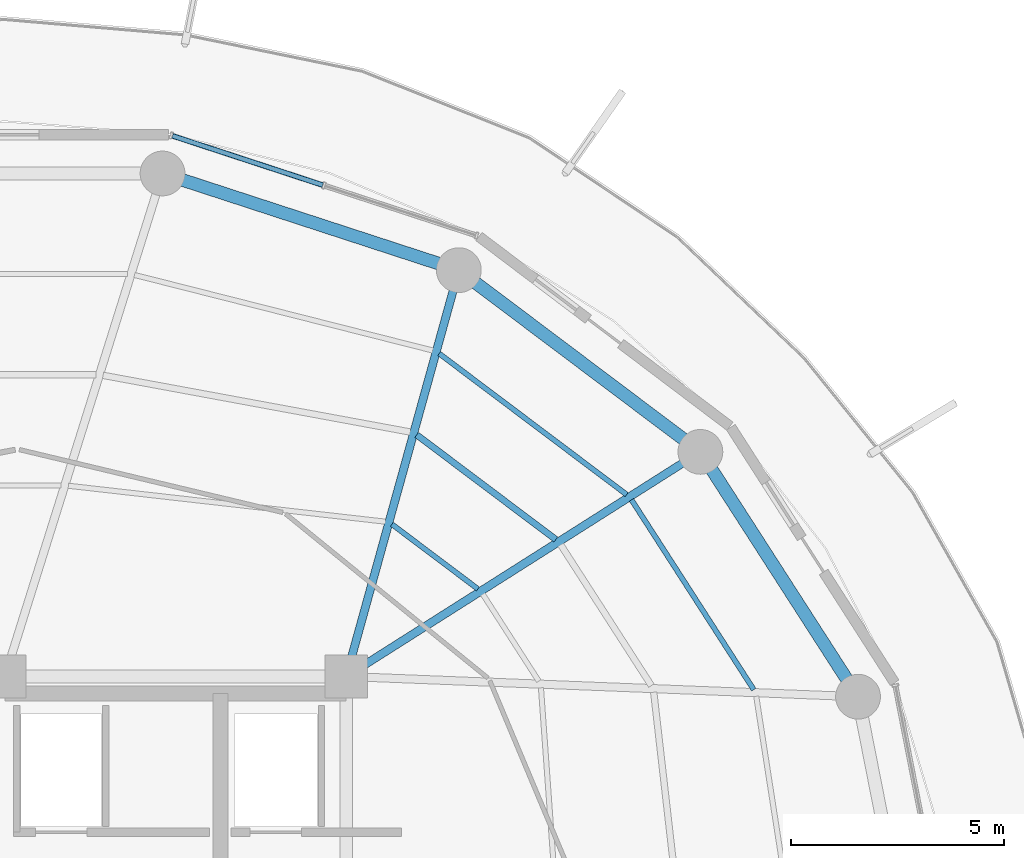
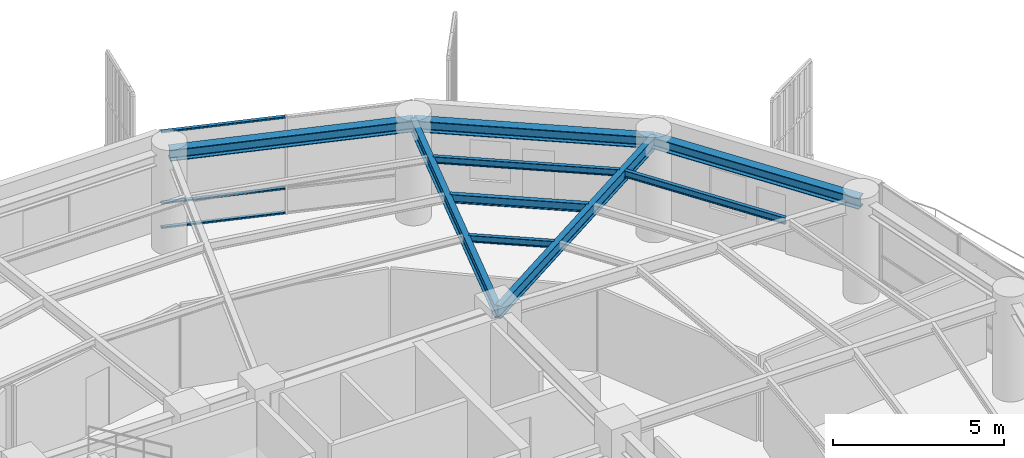
# One storey, part 20 of 30: 9 beams, 3 members, 1 element without a shape of its own.
"""IFC4 building model written with IfcOpenShell, lengths in metres."""

from ifc_helpers import new_model, si_unit, direction, frame, origin, origin_2d, place, context, subcontext, project, spatial, hollow_rectangle, i_section, extrude, material, layer, layer_set, material_profile, profile_set, type_object, element, aggregate, save


model = new_model("IFC4")

# Units and contexts
model_context = context("Model", 3, precision=1e-05, world=origin(), true_north=direction((0.0, 1.0)))
body_context = subcontext(model_context, "Body", "Model", "MODEL_VIEW")
ifc_project = project(units=[si_unit("LENGTHUNIT", "METRE"), si_unit("AREAUNIT", "SQUARE_METRE"), si_unit("VOLUMEUNIT", "CUBIC_METRE"), si_unit("PLANEANGLEUNIT", "RADIAN"), si_unit("MASSUNIT", "GRAM", prefix="KILO")], contexts=[model_context])

# Site, building, storey
site_placement = place(None, origin())
site = spatial("IfcSite", under=ifc_project, at=site_placement, CompositionType="ELEMENT")
building_placement = place(site_placement, origin())
building = spatial("IfcBuilding", under=site, at=building_placement, Name="Kelanora Arch Commons", CompositionType="ELEMENT")
storey_placement = place(building_placement, frame((0.0, 0.0, 234.449951171875)))
storey = spatial("IfcBuildingStorey", under=building, at=storey_placement, Name="L60", CompositionType="ELEMENT", Elevation=234.449951171875)

# Beams
ifc_material_1 = material(Name="Steel S355", Category="steel")
ifc_material_profile_1 = material_profile(ifc_material_1, i_section(OverallWidth=0.14990234375, OverallDepth=0.300048828125, WebThickness=0.007080078125, FlangeThickness=0.0107421875, FilletRadius=0.014892578125, at=origin_2d()), Name="IPE300")
ifc_profile_set_1 = profile_set([ifc_material_profile_1], Name="Steel S355")
beam_type_1 = type_object("IfcBeamType", Name="BM-JST-01", PredefinedType="JOIST", material=ifc_profile_set_1)
beam_1_placement = place(storey_placement, frame((86.912841796875, 68.209716796875, 3.340087890625), z_axis=(-0.799101708656, 0.601195857624, 0.0), x_axis=(-0.601195857624, -0.799101708656, 0.0)))
element("IfcBeam", 1, at=beam_1_placement, inside=storey, type_object=beam_type_1, Name="Secondary Chord Joist BJB-04 L60", PredefinedType="JOIST", context=body_context, shape_type="SweptSolid", body=[
    extrude(i_section(OverallWidth=0.14990234375, OverallDepth=0.300048828125, WebThickness=0.007080078125, FlangeThickness=0.0107421875, FilletRadius=0.014892578125, at=origin_2d()), origin(), (0.0, 0.0, 1.0), 4.080810546875),
])
ifc_material_profile_2 = material_profile(ifc_material_1, i_section(OverallWidth=0.1201171875, OverallDepth=0.239990234375, WebThickness=0.006103515625, FlangeThickness=0.009765625, FilletRadius=0.014892578125, at=origin_2d()), Name="IPE240")
ifc_profile_set_2 = profile_set([ifc_material_profile_2], Name="Steel S355")
beam_type_2 = type_object("IfcBeamType", Name="BM-JST-02", PredefinedType="JOIST", material=ifc_profile_set_2)
beam_2_placement = place(storey_placement, frame((91.55126953125, 64.69189453125, 3.3701171875), z_axis=(-0.541382492679, 0.840776424872, 0.0), x_axis=(-0.840776424872, -0.541382492679, 0.0)))
element("IfcBeam", 2, at=beam_2_placement, inside=storey, type_object=beam_type_2, Name="Secondary Chord Joist BJC-02 L60", PredefinedType="JOIST", context=body_context, shape_type="SweptSolid", body=[
    extrude(i_section(OverallWidth=0.1201171875, OverallDepth=0.239990234375, WebThickness=0.006103515625, FlangeThickness=0.009765625, FilletRadius=0.014892578125, at=origin_2d()), origin(), (0.0, 0.0, 1.0), 5.29052734375),
])
beam_3_placement = place(storey_placement, frame((85.086669921875, 67.051513671875, 3.3701171875), z_axis=(-0.79911638933, 0.601176343766, 0.0), x_axis=(-0.601176343766, -0.79911638933, 0.0)))
element("IfcBeam", 3, at=beam_3_placement, inside=storey, type_object=beam_type_2, Name="Secondary Chord Joist BJA-04 L60", PredefinedType="JOIST", context=body_context, shape_type="SweptSolid", body=[
    extrude(i_section(OverallWidth=0.1201171875, OverallDepth=0.239990234375, WebThickness=0.006103515625, FlangeThickness=0.009765625, FilletRadius=0.014892578125, at=origin_2d()), origin(), (0.0, 0.0, 1.0), 2.522216796875),
])
beam_4_placement = place(storey_placement, frame((88.5732421875, 69.2626953125, 3.3701171875), z_axis=(-0.799109197935, 0.601185902842, 0.0), x_axis=(-0.601185902842, -0.799109197935, 0.0)))
element("IfcBeam", 4, at=beam_4_placement, inside=storey, type_object=beam_type_2, Name="Secondary Chord Joist BJC-04 L60", PredefinedType="JOIST", context=body_context, shape_type="SweptSolid", body=[
    extrude(i_section(OverallWidth=0.1201171875, OverallDepth=0.239990234375, WebThickness=0.006103515625, FlangeThickness=0.009765625, FilletRadius=0.014892578125, at=origin_2d()), origin(), (0.0, 0.0, 1.0), 5.497802734375),
])
ifc_material_profile_3 = material_profile(ifc_material_1, i_section(OverallWidth=0.18994140625, OverallDepth=0.449951171875, WebThickness=0.009521484375, FlangeThickness=0.0146484375, FilletRadius=0.02099609375, at=origin_2d()), Name="IPE450")
ifc_profile_set_3 = profile_set([ifc_material_profile_3], Name="Steel S355")
beam_type_3 = type_object("IfcBeamType", Name="BM-RAD-Z4", PredefinedType="BEAM", material=ifc_profile_set_3)
beam_5_placement = place(storey_placement, frame((82.0, 65.0, 3.26513671875), z_axis=(0.844507208607, 0.535544185489, 0.0), x_axis=(-0.535544185489, 0.844507208607, 0.0)))
element("IfcBeam", 5, at=beam_5_placement, inside=storey, type_object=beam_type_3, Name="Radial Floor Girder BR-04 L60", PredefinedType="BEAM", context=body_context, shape_type="SweptSolid", body=[
    extrude(i_section(OverallWidth=0.18994140625, OverallDepth=0.449951171875, WebThickness=0.009521484375, FlangeThickness=0.0146484375, FilletRadius=0.02099609375, at=origin_2d()), origin(), (0.0, 0.0, 1.0), 9.830078125),
])
beam_6_placement = place(storey_placement, frame((82.0, 65.0, 3.26513671875), z_axis=(0.267120164296, 0.963663228429, 0.0), x_axis=(-0.963663228429, 0.267120164296, 0.0)))
element("IfcBeam", 6, at=beam_6_placement, inside=storey, type_object=beam_type_3, Name="Radial Floor Girder BR-06 L60", PredefinedType="BEAM", context=body_context, shape_type="SweptSolid", body=[
    extrude(i_section(OverallWidth=0.18994140625, OverallDepth=0.449951171875, WebThickness=0.009521484375, FlangeThickness=0.0146484375, FilletRadius=0.02099609375, at=origin_2d()), origin(), (0.0, 0.0, 1.0), 9.8828125),
])
ifc_material_profile_4 = material_profile(ifc_material_1, i_section(OverallWidth=0.300048828125, OverallDepth=0.39990234375, WebThickness=0.013427734375, FlangeThickness=0.02392578125, FilletRadius=0.027099609375, at=origin_2d()), Name="HEB400")
ifc_profile_set_4 = profile_set([ifc_material_profile_4], Name="Steel S355")
beam_type_4 = type_object("IfcBeamType", Name="BM-SPN-Z4", PredefinedType="SPANDREL", material=ifc_profile_set_4)
beam_7_placement = place(storey_placement, frame((93.99658203125, 64.525634765625, 3.2900390625), z_axis=(-0.541364878868, 0.840787766281, 0.0), x_axis=(-0.840787766281, -0.541364878868, 0.0)))
element("IfcBeam", 7, at=beam_7_placement, inside=storey, type_object=beam_type_4, Name="Perimeter Spandrel Beam BS-02 L60", PredefinedType="SPANDREL", context=body_context, shape_type="SweptSolid", body=[
    extrude(i_section(OverallWidth=0.300048828125, OverallDepth=0.39990234375, WebThickness=0.013427734375, FlangeThickness=0.02392578125, FilletRadius=0.027099609375, at=origin_2d()), origin(), (0.0, 0.0, 1.0), 6.825439453125),
])
beam_8_placement = place(storey_placement, frame((90.301513671875, 70.264404296875, 3.2900390625), z_axis=(-0.799114211715, 0.60117923836, 0.0), x_axis=(-0.60117923836, -0.799114211715, 0.0)))
element("IfcBeam", 8, at=beam_8_placement, inside=storey, type_object=beam_type_4, Name="Perimeter Spandrel Beam BS-04 L60", PredefinedType="SPANDREL", context=body_context, shape_type="SweptSolid", body=[
    extrude(i_section(OverallWidth=0.300048828125, OverallDepth=0.39990234375, WebThickness=0.013427734375, FlangeThickness=0.02392578125, FilletRadius=0.027099609375, at=origin_2d()), origin(), (0.0, 0.0, 1.0), 7.0849609375),
])
beam_9_placement = place(storey_placement, frame((84.639892578125, 74.523681640625, 3.2900390625), z_axis=(-0.950656361143, 0.310245842872, 0.0), x_axis=(-0.310245842872, -0.950656361143, 0.0)))
element("IfcBeam", 9, at=beam_9_placement, inside=storey, type_object=beam_type_4, Name="Perimeter Spandrel Beam BS-06 L60", PredefinedType="SPANDREL", context=body_context, shape_type="SweptSolid", body=[
    extrude(i_section(OverallWidth=0.300048828125, OverallDepth=0.39990234375, WebThickness=0.013427734375, FlangeThickness=0.02392578125, FilletRadius=0.027099609375, at=origin_2d()), origin(), (0.0, 0.0, 1.0), 7.304931640625),
])

# Curtain wall, members
ifc_material_2 = material(Name="Terracotta ceramic-fritted low-E glass and aluminium", Category="masonry")
ifc_layer = layer(ifc_material_2, 0.175048828125)
ifc_layer_set = layer_set([ifc_layer], Name="Terracotta ceramic-fritted low-E glass and aluminium")
curtain_wall_type = type_object("IfcCurtainWallType", Name="CW-SYS-02", PredefinedType="NOTDEFINED", material=ifc_layer_set)
curtain_wall_placement = place(storey_placement, origin())
curtain_wall = element("IfcCurtainWall", 10, at=curtain_wall_placement, inside=storey, type_object=curtain_wall_type, Name="Unitised Curtain Wall L60-B03", PredefinedType="NOTDEFINED")
ifc_material_3 = material(Name="Powder-coated aluminium terracotta", Category="masonry")
ifc_material_profile_5 = material_profile(ifc_material_3, hollow_rectangle(XDim=0.1201171875, YDim=0.06005859375, WallThickness=0.0048828125, InnerFilletRadius=0.0048828125, OuterFilletRadius=0.010009765625, at=origin_2d()), Name="CWT120x60")
ifc_profile_set_5 = profile_set([ifc_material_profile_5], Name="Powder-coated aluminium terracotta")
member_type = type_object("IfcMemberType", Name="CWT-STD", PredefinedType="USERDEFINED", material=ifc_profile_set_5)
member_1_placement = place(storey_placement, frame((81.448974609375, 76.517578125, 0.030029296875), z_axis=(-0.950206527055, 0.311620852867, 0.0), x_axis=(-0.311620852867, -0.950206527055, 0.0)))
member_1 = element("IfcMember", 11, at=member_1_placement, type_object=member_type, Name="CW-02 transom 2.1", ObjectType="TRANSOM", PredefinedType="USERDEFINED", context=body_context, shape_type="SweptSolid", body=[
    extrude(hollow_rectangle(XDim=0.1201171875, YDim=0.06005859375, WallThickness=0.0048828125, InnerFilletRadius=0.0048828125, OuterFilletRadius=0.010009765625, at=origin_2d()), origin(), (0.0, 0.0, 1.0), 3.707275390625),
])
member_2_placement = place(storey_placement, frame((81.448974609375, 76.517578125, 0.900146484375), z_axis=(-0.950206527055, 0.311620852867, 0.0), x_axis=(-0.311620852867, -0.950206527055, 0.0)))
member_2 = element("IfcMember", 12, at=member_2_placement, type_object=member_type, Name="CW-02 transom 2.2", ObjectType="TRANSOM", PredefinedType="USERDEFINED", context=body_context, shape_type="SweptSolid", body=[
    extrude(hollow_rectangle(XDim=0.1201171875, YDim=0.06005859375, WallThickness=0.0048828125, InnerFilletRadius=0.0048828125, OuterFilletRadius=0.010009765625, at=origin_2d()), origin(), (0.0, 0.0, 1.0), 3.707275390625),
])
member_3_placement = place(storey_placement, frame((81.448974609375, 76.517578125, 3.445068359375), z_axis=(-0.950206527055, 0.311620852867, 0.0), x_axis=(-0.311620852867, -0.950206527055, 0.0)))
member_3 = element("IfcMember", 13, at=member_3_placement, type_object=member_type, Name="CW-02 transom 2.3", ObjectType="TRANSOM", PredefinedType="USERDEFINED", context=body_context, shape_type="SweptSolid", body=[
    extrude(hollow_rectangle(XDim=0.1201171875, YDim=0.06005859375, WallThickness=0.0048828125, InnerFilletRadius=0.0048828125, OuterFilletRadius=0.010009765625, at=origin_2d()), origin(), (0.0, 0.0, 1.0), 3.707275390625),
])
aggregate(curtain_wall, [member_1, member_2, member_3])

save(model, "model.ifc")
